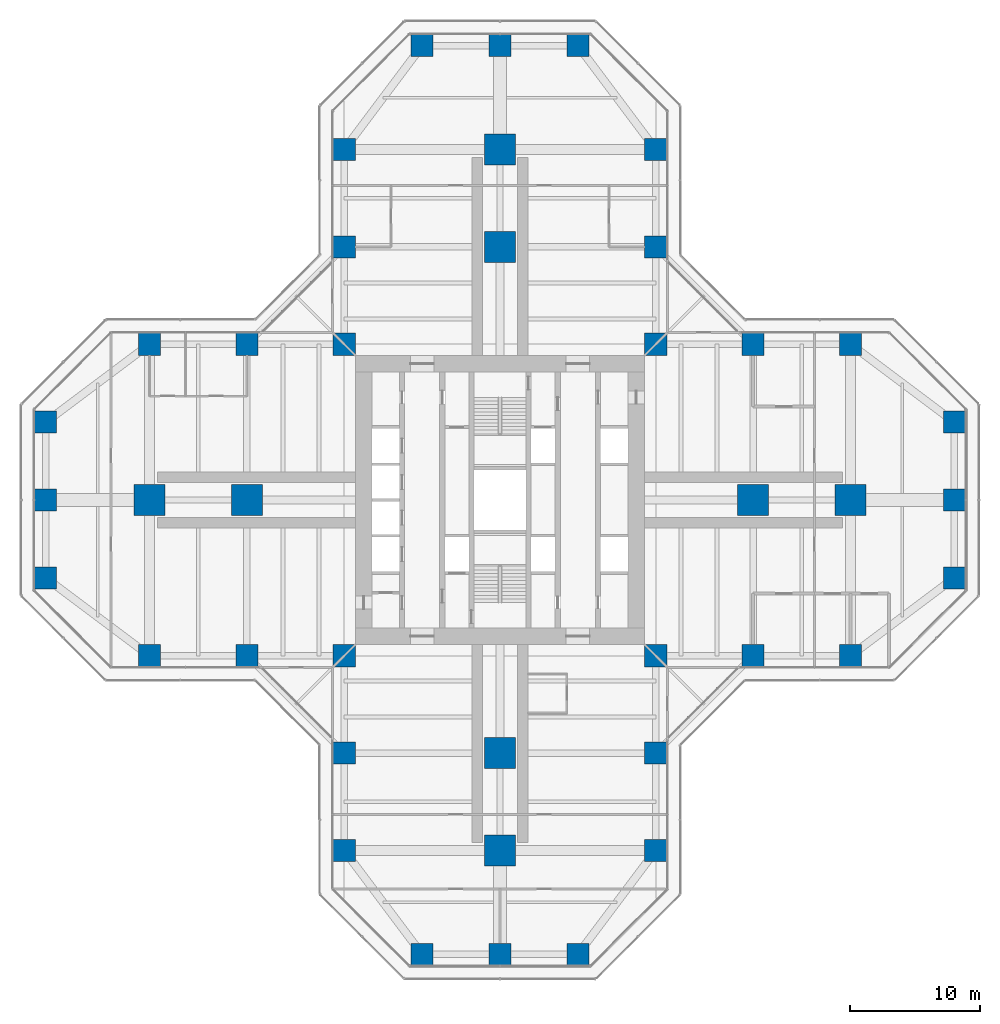
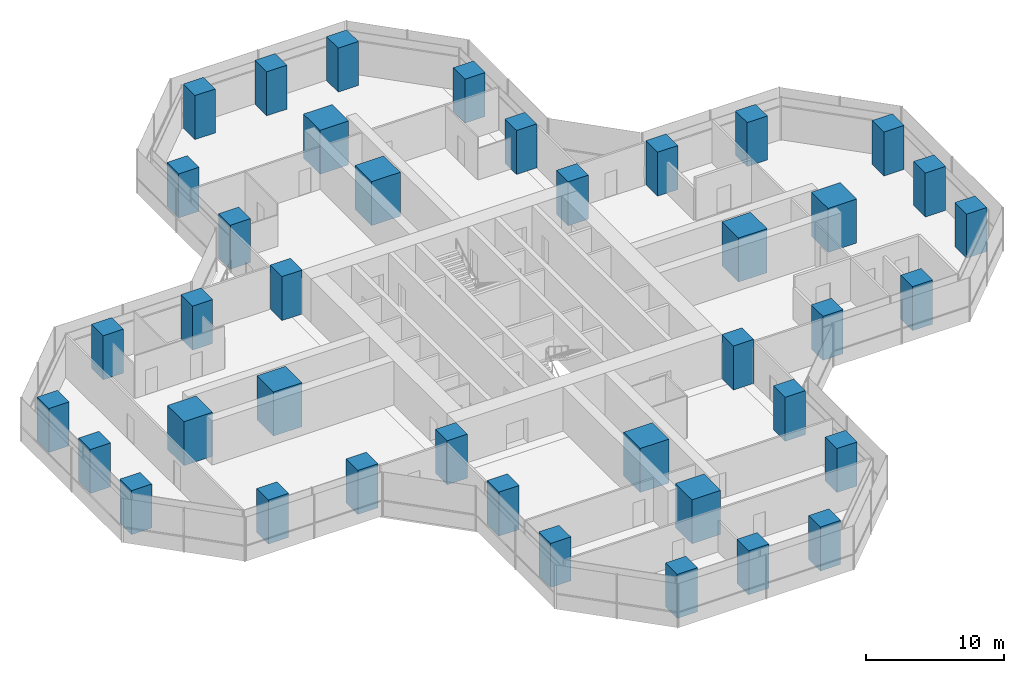
# One storey, part 1 of 22: 40 columns.
"""IFC4 building model written with IfcOpenShell, lengths in metres."""

from ifc_helpers import new_model, si_unit, direction, frame, origin, origin_2d, place, context, subcontext, project, spatial, rectangle, extrude, material, material_profile, profile_set, type_object, element, save


model = new_model("IFC4")

# Units and contexts
model_context = context("Model", 3, precision=1e-05, world=origin(), true_north=direction((0.0, 1.0)))
body_context = subcontext(model_context, "Body", "Model", "MODEL_VIEW")
ifc_project = project(units=[si_unit("LENGTHUNIT", "METRE"), si_unit("AREAUNIT", "SQUARE_METRE"), si_unit("VOLUMEUNIT", "CUBIC_METRE"), si_unit("PLANEANGLEUNIT", "RADIAN"), si_unit("MASSUNIT", "GRAM", prefix="KILO")], contexts=[model_context])

# Site, building, storey
site_placement = place(None, origin())
site = spatial("IfcSite", under=ifc_project, at=site_placement, CompositionType="ELEMENT")
building_placement = place(site_placement, origin())
building = spatial("IfcBuilding", under=site, at=building_placement, Name="Mizan Broadcast Tower", CompositionType="ELEMENT")
storey_placement = place(building_placement, frame((0.0, 0.0, 78.60009765625)))
storey = spatial("IfcBuildingStorey", under=building, at=storey_placement, Name="L16", CompositionType="ELEMENT", Elevation=78.60009765625)

# Columns
ifc_material_1 = material(Name="Concrete C70/85", Category="concrete")
ifc_material_profile_1 = material_profile(ifc_material_1, rectangle(XDim=1.699951171875, YDim=1.699951171875, at=origin_2d()), Name="RC 1700x1700")
ifc_profile_set_1 = profile_set([ifc_material_profile_1], Name="Concrete C70/85")
column_type_1 = type_object("IfcColumnType", Name="RC COLUMN 1700x1700 C70/85", PredefinedType="COLUMN", material=ifc_profile_set_1)
for number, where, z_axis, x_axis, name in (
    (1, (-6.0, -35.0, 0.0), (0.0, 0.0, 1.0), (1.0, 0.0, 0.0), "Column 5/A L16"),
    (2, (0.0, -35.0, 0.0), (0.0, 0.0, 1.0), (1.0, 0.0, 0.0), "Column 6/A L16"),
    (3, (6.0, -35.0, 0.0), (0.0, 0.0, 1.0), (1.0, 0.0, 0.0), "Column 7/A L16"),
    (4, (-12.0, -27.0, 0.0), (0.0, 0.0, 1.0), (1.0, 0.0, 0.0), "Column 4/B L16"),
    (5, (12.0, -27.0, 0.0), (0.0, 0.0, 1.0), (1.0, 0.0, 0.0), "Column 8/B L16"),
    (6, (-12.0, -19.5, 0.0), (0.0, 0.0, 1.0), (1.0, 0.0, 0.0), "Column 4/C L16"),
    (7, (12.0, -19.5, 0.0), (0.0, 0.0, 1.0), (1.0, 0.0, 0.0), "Column 8/C L16"),
    (8, (-27.0, -12.0, 0.0), (0.0, 0.0, 1.0), (1.0, 0.0, 0.0), "Column 2/D L16"),
    (9, (-19.5, -12.0, 0.0), (0.0, 0.0, 1.0), (1.0, 0.0, 0.0), "Column 3/D L16"),
    (10, (-12.0, -12.0, 0.0), (0.0, 0.0, 1.0), (1.0, 0.0, 0.0), "Column 4/D L16"),
    (11, (12.0, -12.0, 0.0), (0.0, 0.0, 1.0), (1.0, 0.0, 0.0), "Column 8/D L16"),
    (12, (19.5, -12.0, 0.0), (0.0, 0.0, 1.0), (1.0, 0.0, 0.0), "Column 9/D L16"),
    (13, (27.0, -12.0, 0.0), (0.0, 0.0, 1.0), (1.0, 0.0, 0.0), "Column 10/D L16"),
    (14, (-35.0, -6.0, 0.0), (0.0, 0.0, 1.0), (1.0, 0.0, 0.0), "Column 1/E L16"),
    (15, (35.0, -6.0, 0.0), (0.0, 0.0, 1.0), (1.0, 0.0, 0.0), "Column 11/E L16"),
    (16, (-35.0, 0.0, 0.0), (0.0, 0.0, 1.0), (1.0, 0.0, 0.0), "Column 1/F L16"),
    (17, (35.0, 0.0, 0.0), (0.0, 0.0, 1.0), (1.0, 0.0, 0.0), "Column 11/F L16"),
    (18, (-35.0, 6.0, 0.0), (0.0, 0.0, 1.0), (1.0, 0.0, 0.0), "Column 1/G L16"),
    (19, (35.0, 6.0, 0.0), (0.0, 0.0, 1.0), (1.0, 0.0, 0.0), "Column 11/G L16"),
    (20, (-27.0, 12.0, 0.0), (0.0, 0.0, 1.0), (1.0, 0.0, 0.0), "Column 2/H L16"),
    (21, (-19.5, 12.0, 0.0), (0.0, 0.0, 1.0), (1.0, 0.0, 0.0), "Column 3/H L16"),
    (22, (-12.0, 12.0, 0.0), (0.0, 0.0, 1.0), (1.0, 0.0, 0.0), "Column 4/H L16"),
    (23, (12.0, 12.0, 0.0), (0.0, 0.0, 1.0), (1.0, 0.0, 0.0), "Column 8/H L16"),
    (24, (19.5, 12.0, 0.0), (0.0, 0.0, 1.0), (1.0, 0.0, 0.0), "Column 9/H L16"),
    (25, (27.0, 12.0, 0.0), (0.0, 0.0, 1.0), (1.0, 0.0, 0.0), "Column 10/H L16"),
    (26, (-12.0, 19.5, 0.0), (0.0, 0.0, 1.0), (1.0, 0.0, 0.0), "Column 4/J L16"),
    (27, (12.0, 19.5, 0.0), (0.0, 0.0, 1.0), (1.0, 0.0, 0.0), "Column 8/J L16"),
    (28, (-12.0, 27.0, 0.0), (0.0, 0.0, 1.0), (1.0, 0.0, 0.0), "Column 4/K L16"),
    (29, (12.0, 27.0, 0.0), (0.0, 0.0, 1.0), (1.0, 0.0, 0.0), "Column 8/K L16"),
    (30, (-6.0, 35.0, 0.0), (0.0, 0.0, 1.0), (1.0, 0.0, 0.0), "Column 5/L L16"),
    (31, (0.0, 35.0, 0.0), (0.0, 0.0, 1.0), (1.0, 0.0, 0.0), "Column 6/L L16"),
    (32, (6.0, 35.0, 0.0), (0.0, 0.0, 1.0), (1.0, 0.0, 0.0), "Column 7/L L16"),
):
    element("IfcColumn", number, at=place(storey_placement, frame(where, z_axis=z_axis, x_axis=x_axis)), inside=storey, type_object=column_type_1, Name=name, PredefinedType="COLUMN", context=body_context, shape_type="SweptSolid", body=[
        extrude(rectangle(XDim=1.699951171875, YDim=1.699951171875, at=origin_2d()), origin(), (0.0, 0.0, 1.0), 3.89990234375),
    ])
ifc_material_2 = material(Name="Concrete C70/85", Category="concrete")
ifc_material_profile_2 = material_profile(ifc_material_2, rectangle(XDim=2.39990234375, YDim=2.39990234375, at=origin_2d()), Name="RC 2400x2400")
ifc_profile_set_2 = profile_set([ifc_material_profile_2], Name="Concrete C70/85")
column_type_2 = type_object("IfcColumnType", Name="RC COLUMN 2400x2400 C70/85", PredefinedType="COLUMN", material=ifc_profile_set_2)
for number, where, z_axis, x_axis, name in (
    (33, (0.0, -27.0, 0.0), (0.0, 0.0, 1.0), (1.0, 0.0, 0.0), "Column 6/B L16"),
    (34, (0.0, -19.5, 0.0), (0.0, 0.0, 1.0), (1.0, 0.0, 0.0), "Column 6/C L16"),
    (35, (-27.0, 0.0, 0.0), (0.0, 0.0, 1.0), (1.0, 0.0, 0.0), "Column 2/F L16"),
    (36, (-19.5, 0.0, 0.0), (0.0, 0.0, 1.0), (1.0, 0.0, 0.0), "Column 3/F L16"),
    (37, (19.5, 0.0, 0.0), (0.0, 0.0, 1.0), (1.0, 0.0, 0.0), "Column 9/F L16"),
    (38, (27.0, 0.0, 0.0), (0.0, 0.0, 1.0), (1.0, 0.0, 0.0), "Column 10/F L16"),
    (39, (0.0, 19.5, 0.0), (0.0, 0.0, 1.0), (1.0, 0.0, 0.0), "Column 6/J L16"),
    (40, (0.0, 27.0, 0.0), (0.0, 0.0, 1.0), (1.0, 0.0, 0.0), "Column 6/K L16"),
):
    element("IfcColumn", number, at=place(storey_placement, frame(where, z_axis=z_axis, x_axis=x_axis)), inside=storey, type_object=column_type_2, Name=name, PredefinedType="COLUMN", context=body_context, shape_type="SweptSolid", body=[
        extrude(rectangle(XDim=2.39990234375, YDim=2.39990234375, at=origin_2d()), origin(), (0.0, 0.0, 1.0), 3.89990234375),
    ])

save(model, "model.ifc")
